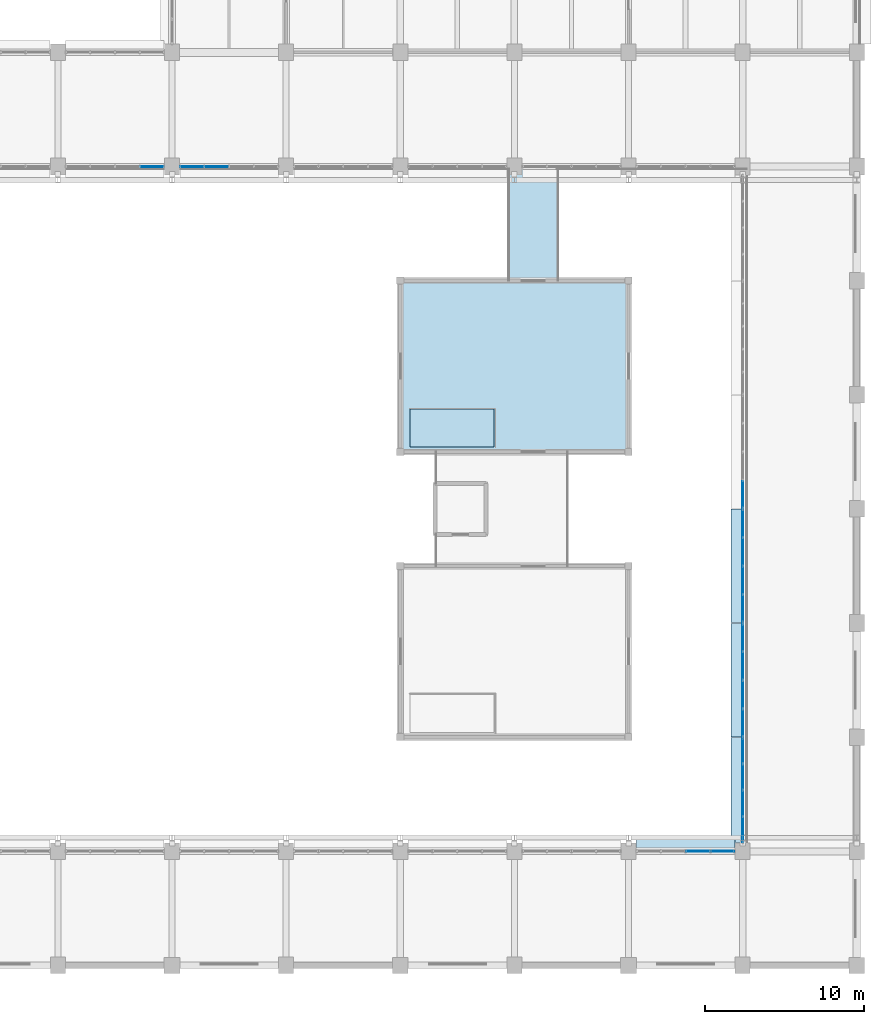
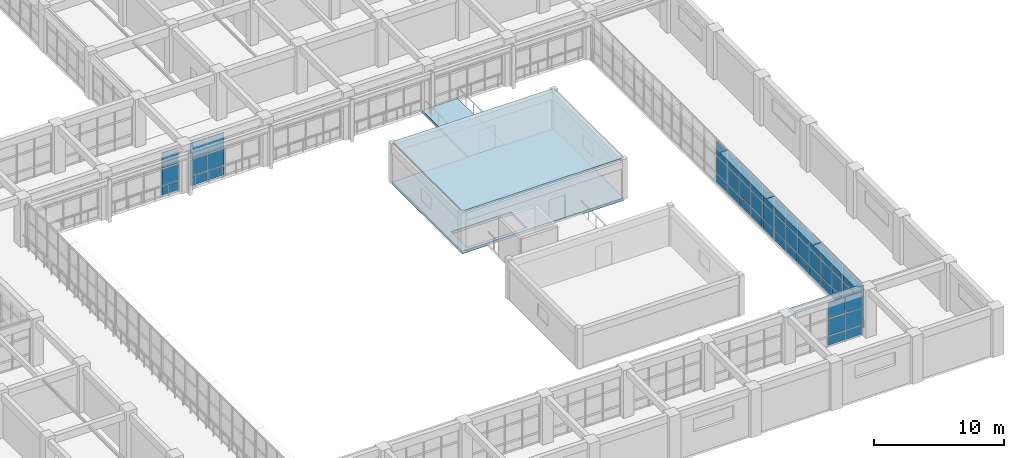
# One storey, part 141 of 171: 58 plates, 3 slabs, 7 elements without a shape of their own.
"""IFC4 building model written with IfcOpenShell, lengths in metres."""

import ifcopenshell
import ifcopenshell.guid

model = None  # the IFC model being written
_history = None  # IfcOwnerHistory: only IFC2X3 demands one
_inside = {}  # id of a spatial element -> (the spatial element, [elements in it])
_under = {}  # id of a project, library or spatial element -> (it, [spatial elements below it])
_declared = {}  # id of a project -> (the project, [libraries it declares])
_typed = {}  # id of a type object -> (the type object, [elements of that type])
_made_of = {}  # id of a material, layer set ... -> (it, [elements and type objects made of it])


def new_model(schema):
    """Start an empty IFC model of exactly this schema.

    Asked for "IFC4X3", IfcOpenShell would pick the latest addendum, in which some entities
    have other attributes; the version numbers below select the first issue.
    IFC2X3 requires an IfcOwnerHistory on every rooted entity: one is made here for all.
    """
    global model, _history
    if schema == "IFC4X3":
        model = ifcopenshell.file(schema_version=(4, 3, 0, 0))
    else:
        model = ifcopenshell.file(schema=schema)
    _inside.clear()
    _under.clear()
    _declared.clear()
    _typed.clear()
    _made_of.clear()
    _history = None
    if model.schema == "IFC2X3":
        org = make("IfcOrganization", Name="unknown")
        user = make(
            "IfcPersonAndOrganization",
            ThePerson=make("IfcPerson", FamilyName="unknown"),
            TheOrganization=org,
        )
        app = make(
            "IfcApplication",
            ApplicationDeveloper=org,
            Version="unknown",
            ApplicationFullName="unknown",
            ApplicationIdentifier="unknown",
        )
        _history = make(
            "IfcOwnerHistory",
            OwningUser=user,
            OwningApplication=app,
            ChangeAction="ADDED",
            CreationDate=0,
        )
    return model


def make(cls, **values):
    """One entity of the class cls with the attributes given. An attribute that is None is left unset."""
    return model.create_entity(
        cls, **{name: value for name, value in values.items() if value is not None}
    )


def rooted(cls, **values):
    """An entity with a GlobalId (a new one), such as an element, a storey or a relation."""
    return make(cls, GlobalId=ifcopenshell.guid.new(), OwnerHistory=_history, **values)


def si_unit(unit_type, name, prefix=None):
    """IfcSIUnit, for example si_unit("LENGTHUNIT", "METRE", prefix="MILLI")."""
    return make("IfcSIUnit", UnitType=unit_type, Prefix=prefix, Name=name)


def assignment(units):
    """IfcUnitAssignment: the units of a project."""
    return None if units is None else make("IfcUnitAssignment", Units=units)


def point(xyz):
    """IfcCartesianPoint."""
    return None if xyz is None else make("IfcCartesianPoint", Coordinates=xyz)


def direction(xyz):
    """IfcDirection."""
    return None if xyz is None else make("IfcDirection", DirectionRatios=xyz)


def frame(location, z_axis=None, x_axis=None):
    """IfcAxis2Placement3D, a coordinate frame: its origin and axes. An axis left out is left unset."""
    return make(
        "IfcAxis2Placement3D",
        Location=point(location),
        Axis=direction(z_axis),
        RefDirection=direction(x_axis),
    )


def frame_2d(location, x_axis=None):
    """IfcAxis2Placement2D, a coordinate frame in the plane: its origin and x axis."""
    return make(
        "IfcAxis2Placement2D", Location=point(location), RefDirection=direction(x_axis)
    )


def origin():
    """The frame at (0, 0, 0) with its axes left unset."""
    return frame((0.0, 0.0, 0.0))


def origin_2d():
    """The frame at (0, 0) in the plane with its x axis left unset."""
    return frame_2d((0.0, 0.0))


def place(relative_to, where):
    """IfcLocalPlacement: puts the frame where relative to a parent placement (None: the world)."""
    return make(
        "IfcLocalPlacement", PlacementRelTo=relative_to, RelativePlacement=where
    )


def context(
    kind, dimensions, precision=None, world=None, true_north=None, identifier=None
):
    """IfcGeometricRepresentationContext, for example the 3D "Model" context."""
    return make(
        "IfcGeometricRepresentationContext",
        ContextIdentifier=identifier,
        ContextType=kind,
        CoordinateSpaceDimension=dimensions,
        Precision=precision,
        WorldCoordinateSystem=world,
        TrueNorth=true_north,
    )


def subcontext(parent, identifier, kind, view, scale=None):
    """IfcGeometricRepresentationSubContext, for example "Body" below "Model"."""
    return make(
        "IfcGeometricRepresentationSubContext",
        ContextIdentifier=identifier,
        ContextType=kind,
        ParentContext=parent,
        TargetScale=scale,
        TargetView=view,
    )


def project(units=None, contexts=None):
    """IfcProject with its units and contexts."""
    return rooted(
        "IfcProject",
        Name="project",
        RepresentationContexts=contexts,
        UnitsInContext=assignment(units),
    )


def spatial(cls, under=None, at=None, **own):
    """A site, building, storey or space (cls), placed at a placement, below another one or the project."""
    s = rooted(cls, ObjectPlacement=at, **own)
    if under is not None:
        _under.setdefault(under.id(), (under, []))[1].append(s)
    return s


def polyline(points):
    """IfcPolyline through the points."""
    return make("IfcPolyline", Points=[point(p) for p in points])


def profile(cls, at=None, kind="AREA", **sizes):
    """A parametric profile (cls). Its sizes go by their IFC names, for example OverallWidth=200.0."""
    return make(cls, ProfileType=kind, Position=at, **sizes)


def rectangle(**sizes):
    """IfcRectangleProfileDef."""
    return profile("IfcRectangleProfileDef", **sizes)


def outline(outer, holes=None, kind="AREA"):
    """IfcArbitraryClosedProfileDef: a profile drawn as a closed curve; with holes, ...WithVoids."""
    if holes is None:
        return make("IfcArbitraryClosedProfileDef", ProfileType=kind, OuterCurve=outer)
    return make(
        "IfcArbitraryProfileDefWithVoids",
        ProfileType=kind,
        OuterCurve=outer,
        InnerCurves=holes,
    )


def extrude(swept, where, along, depth):
    """IfcExtrudedAreaSolid: the profile swept, set in the frame where, extruded along a direction by depth."""
    return make(
        "IfcExtrudedAreaSolid",
        SweptArea=swept,
        Position=where,
        ExtrudedDirection=direction(along),
        Depth=depth,
    )


def shape(context_of_items, identifier, shape_type, items):
    """IfcShapeRepresentation: the items that make up one representation, for example the "Body"."""
    return make(
        "IfcShapeRepresentation",
        ContextOfItems=context_of_items,
        RepresentationIdentifier=identifier,
        RepresentationType=shape_type,
        Items=items,
    )


def material(Name=None, Category=None):
    """IfcMaterial."""
    return make("IfcMaterial", Name=Name, Category=Category)


def layer(
    of_material, thickness, ventilated=None, Name=None, Category=None, Priority=None
):
    """IfcMaterialLayer: one layer of a wall or slab, of a material (None: an air gap)."""
    return make(
        "IfcMaterialLayer",
        Material=of_material,
        LayerThickness=thickness,
        IsVentilated=ventilated,
        Name=Name,
        Category=Category,
        Priority=Priority,
    )


def layer_set(layers, Name=None):
    """IfcMaterialLayerSet."""
    return make("IfcMaterialLayerSet", MaterialLayers=layers, LayerSetName=Name)


def made_of(thing, what):
    """Note that an element or type object is made of a material, layer set ...; save() writes the relation."""
    if what is not None:
        _made_of.setdefault(what.id(), (what, []))[1].append(thing)
    return thing


def type_object(cls, material=None, **own):
    """A type object (cls), such as IfcWallType, which elements share."""
    return made_of(rooted(cls, **own), material)


def element(
    cls,
    number,
    at=None,
    inside=None,
    cuts=None,
    type_object=None,
    material=None,
    context=None,
    identifier="Body",
    shape_type=None,
    held_by="IfcProductDefinitionShape",
    body=None,
    shapes=None,
    **own,
):
    """One element of the class cls, such as IfcWall. Its Tag is "e" and its number.

    at: its placement. inside: the storey or other place that contains it. cuts: it is an
    opening in that element (IfcRelVoidsElement). A single representation is given by context,
    identifier, shape_type and body (its items); several are given by shapes. held_by: the class
    of the entity that holds the representations. save() writes the other relations.
    """
    e = rooted(cls, Tag="e%d" % number, ObjectPlacement=at, **own)
    if body is not None:
        shapes = [shape(context, identifier, shape_type, body)]
    if shapes is not None:
        e.Representation = make(held_by, Representations=shapes)
    if inside is not None:
        _inside.setdefault(inside.id(), (inside, []))[1].append(e)
    if cuts is not None:
        rooted(
            "IfcRelVoidsElement", RelatingBuildingElement=cuts, RelatedOpeningElement=e
        )
    if type_object is not None:
        _typed.setdefault(type_object.id(), (type_object, []))[1].append(e)
    return made_of(e, material)


def aggregate(whole, parts):
    """IfcRelAggregates: a whole, such as a stair, and the parts it consists of."""
    return rooted("IfcRelAggregates", RelatingObject=whole, RelatedObjects=parts)


def save(model, path):
    """Write the relations noted so far, then the file.

    IfcRelAggregates (storeys below a building ...), IfcRelContainedInSpatialStructure (elements
    in a storey), IfcRelDefinesByType, IfcRelAssociatesMaterial and IfcRelDeclares: one each for
    every whole, place, type object, material and project.
    """
    for whole, parts in _under.values():
        aggregate(whole, parts)
    for where, things in _inside.values():
        rooted(
            "IfcRelContainedInSpatialStructure",
            RelatedElements=things,
            RelatingStructure=where,
        )
    for kind, things in _typed.values():
        rooted("IfcRelDefinesByType", RelatedObjects=things, RelatingType=kind)
    for what, things in _made_of.values():
        rooted("IfcRelAssociatesMaterial", RelatedObjects=things, RelatingMaterial=what)
    for by, libraries in _declared.values():
        rooted("IfcRelDeclares", RelatingContext=by, RelatedDefinitions=libraries)
    model.write(path)


model = new_model("IFC4")

# Units and contexts
model_context = context("Model", 3, precision=1e-05, world=origin(), true_north=direction((0.0, 1.0)))
body_context = subcontext(model_context, "Body", "Model", "MODEL_VIEW")
ifc_project = project(units=[si_unit("LENGTHUNIT", "METRE"), si_unit("AREAUNIT", "SQUARE_METRE"), si_unit("VOLUMEUNIT", "CUBIC_METRE"), si_unit("PLANEANGLEUNIT", "RADIAN"), si_unit("MASSUNIT", "GRAM", prefix="KILO")], contexts=[model_context])

# Site, building, storey
site_placement = place(None, origin())
site = spatial("IfcSite", under=ifc_project, at=site_placement, CompositionType="ELEMENT")
building_placement = place(site_placement, origin())
building = spatial("IfcBuilding", under=site, at=building_placement, Name="Thalmaran Polytechnic", CompositionType="ELEMENT")
storey_placement = place(building_placement, frame((0.0, 0.0, 5.39990234375)))
storey = spatial("IfcBuildingStorey", under=building, at=storey_placement, Name="L01", CompositionType="ELEMENT", Elevation=5.39990234375)

# Plates
ifc_material_1 = material(Name="Anodised aluminium sun-hood eyebrow", Category="aluminium")
ifc_layer_1 = layer(ifc_material_1, 0.0849609375, Name="Anodised aluminium sun-hood eyebrow")
ifc_layer_set_1 = layer_set([ifc_layer_1], Name="Anodised aluminium sun-hood eyebrow")
plate_type_1 = type_object("IfcPlateType", Name="PT-EB01", PredefinedType="SHEET", material=ifc_layer_set_1)
plate_1_placement = place(storey_placement, frame((162.0, 7.56005859375, 4.107666015625), z_axis=(0.0, 0.0, 1.0), x_axis=(1.0, 0.0, 0.0)))
element("IfcPlate", 1, at=plate_1_placement, inside=storey, type_object=plate_type_1, Name="Streamline Sun-Hood Eyebrow L01-CW117", PredefinedType="SHEET", context=body_context, shape_type="SweptSolid", body=[
    extrude(rectangle(XDim=6.2099609375, YDim=0.760009765625, at=origin_2d()), origin(), (0.0, 0.0, 1.0), 0.0849609375),
])
plate_2_placement = place(storey_placement, frame((165.239990234375, 11.0625, 4.107666015625), z_axis=(0.0, 0.0, 1.0), x_axis=(0.0, 1.0, 0.0)))
element("IfcPlate", 2, at=plate_2_placement, inside=storey, type_object=plate_type_1, Name="Streamline Sun-Hood Eyebrow L01-CW118", PredefinedType="SHEET", context=body_context, shape_type="SweptSolid", body=[
    extrude(rectangle(XDim=6.635009765625, YDim=0.760009765625, at=origin_2d()), origin(), (0.0, 0.0, 1.0), 0.0849609375),
])
for number, where, z_axis, x_axis, name in (
    (3, (165.239990234375, 18.0, 4.107666015625), (0.0, 0.0, 1.0), (0.0, 1.0, 0.0), "Streamline Sun-Hood Eyebrow L01-CW119"),
    (4, (165.239990234375, 25.199951171875, 4.107666015625), (0.0, 0.0, 1.0), (0.0, 1.0, 0.0), "Streamline Sun-Hood Eyebrow L01-CW120"),
):
    element("IfcPlate", number, at=place(storey_placement, frame(where, z_axis=z_axis, x_axis=x_axis)), inside=storey, type_object=plate_type_1, Name=name, PredefinedType="SHEET", context=body_context, shape_type="SweptSolid", body=[
        extrude(rectangle(XDim=7.159912109375, YDim=0.760009765625, at=origin_2d()), origin(), (0.0, 0.0, 1.0), 0.0849609375),
    ])

# Curtain wall, plates
ifc_material_2 = material(Name="Aluminium 6063-T6", Category="aluminium")
curtain_wall_type = type_object("IfcCurtainWallType", Name="CW-UC02", PredefinedType="USERDEFINED", material=ifc_material_2)
curtain_wall_1_placement = place(storey_placement, origin())
curtain_wall_1 = element("IfcCurtainWall", 5, at=curtain_wall_1_placement, inside=storey, type_object=curtain_wall_type, Name="Curtain Wall CW-L01-120", ObjectType="UNITISED CURTAIN WALL", PredefinedType="USERDEFINED")
ifc_material_3 = material(Name="Solar-control double low-E glass", Category="glass")
ifc_layer_2 = layer(ifc_material_3, 0.035888671875, Name="Solar-control double low-E glass")
ifc_layer_set_2 = layer_set([ifc_layer_2], Name="Solar-control double low-E glass")
plate_type_2 = type_object("IfcPlateType", Name="PT-GL01", PredefinedType="CURTAIN_PANEL", material=ifc_layer_set_2)
plate_3_placement = place(storey_placement, frame((165.60009765625, 22.5, 1.000244140625), z_axis=(0.0, 0.0, 1.0), x_axis=(0.0, 1.0, 0.0)))
plate_3 = element("IfcPlate", 6, at=plate_3_placement, type_object=plate_type_2, Name="CW-L01-120 Vision Panel 1-2", PredefinedType="CURTAIN_PANEL", context=body_context, shape_type="SweptSolid", body=[
    extrude(rectangle(XDim=1.699951171875, YDim=0.035888671875, at=origin_2d()), origin(), (0.0, 0.0, 1.0), 1.544921875),
])
plate_4_placement = place(storey_placement, frame((165.60009765625, 22.5, 2.625), z_axis=(0.0, 0.0, 1.0), x_axis=(0.0, 1.0, 0.0)))
plate_4 = element("IfcPlate", 7, at=plate_4_placement, type_object=plate_type_2, Name="CW-L01-120 Vision Panel 1-3", PredefinedType="CURTAIN_PANEL", context=body_context, shape_type="SweptSolid", body=[
    extrude(rectangle(XDim=1.699951171875, YDim=0.035888671875, at=origin_2d()), origin(), (0.0, 0.0, 1.0), 1.485107421875),
])
plate_5_placement = place(storey_placement, frame((165.60009765625, 24.300048828125, 1.000244140625), z_axis=(0.0, 0.0, 1.0), x_axis=(0.0, 1.0, 0.0)))
plate_5 = element("IfcPlate", 8, at=plate_5_placement, type_object=plate_type_2, Name="CW-L01-120 Vision Panel 2-2", PredefinedType="CURTAIN_PANEL", context=body_context, shape_type="SweptSolid", body=[
    extrude(rectangle(XDim=1.699951171875, YDim=0.035888671875, at=origin_2d()), origin(), (0.0, 0.0, 1.0), 1.544921875),
])
plate_6_placement = place(storey_placement, frame((165.60009765625, 24.300048828125, 2.625), z_axis=(0.0, 0.0, 1.0), x_axis=(0.0, 1.0, 0.0)))
plate_6 = element("IfcPlate", 9, at=plate_6_placement, type_object=plate_type_2, Name="CW-L01-120 Vision Panel 2-3", PredefinedType="CURTAIN_PANEL", context=body_context, shape_type="SweptSolid", body=[
    extrude(rectangle(XDim=1.699951171875, YDim=0.035888671875, at=origin_2d()), origin(), (0.0, 0.0, 1.0), 1.485107421875),
])
plate_7_placement = place(storey_placement, frame((165.60009765625, 26.10009765625, 1.000244140625), z_axis=(0.0, 0.0, 1.0), x_axis=(0.0, 1.0, 0.0)))
plate_7 = element("IfcPlate", 10, at=plate_7_placement, type_object=plate_type_2, Name="CW-L01-120 Vision Panel 3-2", PredefinedType="CURTAIN_PANEL", context=body_context, shape_type="SweptSolid", body=[
    extrude(rectangle(XDim=1.699951171875, YDim=0.035888671875, at=origin_2d()), origin(), (0.0, 0.0, 1.0), 1.544921875),
])
plate_8_placement = place(storey_placement, frame((165.60009765625, 26.10009765625, 2.625), z_axis=(0.0, 0.0, 1.0), x_axis=(0.0, 1.0, 0.0)))
plate_8 = element("IfcPlate", 11, at=plate_8_placement, type_object=plate_type_2, Name="CW-L01-120 Vision Panel 3-3", PredefinedType="CURTAIN_PANEL", context=body_context, shape_type="SweptSolid", body=[
    extrude(rectangle(XDim=1.699951171875, YDim=0.035888671875, at=origin_2d()), origin(), (0.0, 0.0, 1.0), 1.485107421875),
])
plate_9_placement = place(storey_placement, frame((165.60009765625, 27.89990234375, 1.000244140625), z_axis=(0.0, 0.0, 1.0), x_axis=(0.0, 1.0, 0.0)))
plate_9 = element("IfcPlate", 12, at=plate_9_placement, type_object=plate_type_2, Name="CW-L01-120 Vision Panel 4-2", PredefinedType="CURTAIN_PANEL", context=body_context, shape_type="SweptSolid", body=[
    extrude(rectangle(XDim=1.699951171875, YDim=0.035888671875, at=origin_2d()), origin(), (0.0, 0.0, 1.0), 1.544921875),
])
plate_10_placement = place(storey_placement, frame((165.60009765625, 27.89990234375, 2.625), z_axis=(0.0, 0.0, 1.0), x_axis=(0.0, 1.0, 0.0)))
plate_10 = element("IfcPlate", 13, at=plate_10_placement, type_object=plate_type_2, Name="CW-L01-120 Vision Panel 4-3", PredefinedType="CURTAIN_PANEL", context=body_context, shape_type="SweptSolid", body=[
    extrude(rectangle(XDim=1.699951171875, YDim=0.035888671875, at=origin_2d()), origin(), (0.0, 0.0, 1.0), 1.485107421875),
])

curtain_wall_2_placement = place(storey_placement, origin())
curtain_wall_2 = element("IfcCurtainWall", 14, at=curtain_wall_2_placement, inside=storey, type_object=curtain_wall_type, Name="Curtain Wall CW-L01-121", ObjectType="UNITISED CURTAIN WALL", PredefinedType="USERDEFINED")
ifc_layer_3 = layer(ifc_material_3, 0.035888671875, Name="Solar-control double low-E glass")
ifc_layer_set_3 = layer_set([ifc_layer_3], Name="Solar-control double low-E glass")
plate_type_3 = type_object("IfcPlateType", Name="PT-GL02", PredefinedType="CURTAIN_PANEL", material=ifc_layer_set_3)
plate_11_placement = place(storey_placement, frame((165.60009765625, 29.699951171875, 1.000244140625), z_axis=(0.0, 0.0, 1.0), x_axis=(0.0, 1.0, 0.0)))
plate_11 = element("IfcPlate", 15, at=plate_11_placement, type_object=plate_type_3, Name="CW-L01-121 Vision Panel 1-2", PredefinedType="CURTAIN_PANEL", context=body_context, shape_type="SweptSolid", body=[
    extrude(rectangle(XDim=1.699951171875, YDim=0.035888671875, at=origin_2d()), origin(), (0.0, 0.0, 1.0), 1.544921875),
])
plate_12_placement = place(storey_placement, frame((165.60009765625, 29.699951171875, 2.625), z_axis=(0.0, 0.0, 1.0), x_axis=(0.0, 1.0, 0.0)))
plate_12 = element("IfcPlate", 16, at=plate_12_placement, type_object=plate_type_3, Name="CW-L01-121 Vision Panel 1-3", PredefinedType="CURTAIN_PANEL", context=body_context, shape_type="SweptSolid", body=[
    extrude(rectangle(XDim=1.699951171875, YDim=0.035888671875, at=origin_2d()), origin(), (0.0, 0.0, 1.0), 1.485107421875),
])

curtain_wall_3_placement = place(storey_placement, origin())
curtain_wall_3 = element("IfcCurtainWall", 17, at=curtain_wall_3_placement, inside=storey, type_object=curtain_wall_type, Name="Curtain Wall CW-L01-117", ObjectType="UNITISED CURTAIN WALL", PredefinedType="USERDEFINED")
ifc_layer_4 = layer(ifc_material_3, 0.035888671875, Name="Solar-control double low-E glass")
ifc_layer_set_4 = layer_set([ifc_layer_4], Name="Solar-control double low-E glass")
plate_type_4 = type_object("IfcPlateType", Name="PT-GL03", PredefinedType="CURTAIN_PANEL", material=ifc_layer_set_4)
plate_13_placement = place(storey_placement, frame((162.78125, 7.199951171875, 1.000244140625), z_axis=(0.0, 0.0, 1.0), x_axis=(1.0, 0.0, 0.0)))
plate_13 = element("IfcPlate", 18, at=plate_13_placement, type_object=plate_type_4, Name="CW-L01-117 Vision Panel 3-2", PredefinedType="CURTAIN_PANEL", context=body_context, shape_type="SweptSolid", body=[
    extrude(rectangle(XDim=1.46240234375, YDim=0.035888671875, at=origin_2d()), origin(), (0.0, 0.0, 1.0), 1.544921875),
])
plate_14_placement = place(storey_placement, frame((162.78125, 7.199951171875, 2.625), z_axis=(0.0, 0.0, 1.0), x_axis=(1.0, 0.0, 0.0)))
plate_14 = element("IfcPlate", 19, at=plate_14_placement, type_object=plate_type_4, Name="CW-L01-117 Vision Panel 3-3", PredefinedType="CURTAIN_PANEL", context=body_context, shape_type="SweptSolid", body=[
    extrude(rectangle(XDim=1.46240234375, YDim=0.035888671875, at=origin_2d()), origin(), (0.0, 0.0, 1.0), 1.485107421875),
])
plate_15_placement = place(storey_placement, frame((164.34375, 7.199951171875, 1.000244140625), z_axis=(0.0, 0.0, 1.0), x_axis=(1.0, 0.0, 0.0)))
plate_15 = element("IfcPlate", 20, at=plate_15_placement, type_object=plate_type_4, Name="CW-L01-117 Vision Panel 4-2", PredefinedType="CURTAIN_PANEL", context=body_context, shape_type="SweptSolid", body=[
    extrude(rectangle(XDim=1.46240234375, YDim=0.035888671875, at=origin_2d()), origin(), (0.0, 0.0, 1.0), 1.544921875),
])
plate_16_placement = place(storey_placement, frame((164.34375, 7.199951171875, 2.625), z_axis=(0.0, 0.0, 1.0), x_axis=(1.0, 0.0, 0.0)))
plate_16 = element("IfcPlate", 21, at=plate_16_placement, type_object=plate_type_4, Name="CW-L01-117 Vision Panel 4-3", PredefinedType="CURTAIN_PANEL", context=body_context, shape_type="SweptSolid", body=[
    extrude(rectangle(XDim=1.46240234375, YDim=0.035888671875, at=origin_2d()), origin(), (0.0, 0.0, 1.0), 1.485107421875),
])

curtain_wall_4_placement = place(storey_placement, origin())
curtain_wall_4 = element("IfcCurtainWall", 22, at=curtain_wall_4_placement, inside=storey, type_object=curtain_wall_type, Name="Curtain Wall CW-L01-103", ObjectType="UNITISED CURTAIN WALL", PredefinedType="USERDEFINED")
ifc_layer_5 = layer(ifc_material_3, 0.035888671875, Name="Solar-control double low-E glass")
ifc_layer_set_5 = layer_set([ifc_layer_5], Name="Solar-control double low-E glass")
plate_type_5 = type_object("IfcPlateType", Name="PT-GL04", PredefinedType="CURTAIN_PANEL", material=ifc_layer_set_5)
plate_17_placement = place(storey_placement, frame((128.34375, 50.39990234375, 1.000244140625), z_axis=(0.0, 0.0, 1.0), x_axis=(-1.0, 0.0, 0.0)))
plate_17 = element("IfcPlate", 23, at=plate_17_placement, type_object=plate_type_5, Name="CW-L01-103 Vision Panel 1-2", PredefinedType="CURTAIN_PANEL", context=body_context, shape_type="SweptSolid", body=[
    extrude(rectangle(XDim=1.46240234375, YDim=0.035888671875, at=origin_2d()), origin(), (0.0, 0.0, 1.0), 1.544921875),
])
plate_18_placement = place(storey_placement, frame((128.34375, 50.39990234375, 2.625), z_axis=(0.0, 0.0, 1.0), x_axis=(-1.0, 0.0, 0.0)))
plate_18 = element("IfcPlate", 24, at=plate_18_placement, type_object=plate_type_5, Name="CW-L01-103 Vision Panel 1-3", PredefinedType="CURTAIN_PANEL", context=body_context, shape_type="SweptSolid", body=[
    extrude(rectangle(XDim=1.46240234375, YDim=0.035888671875, at=origin_2d()), origin(), (0.0, 0.0, 1.0), 1.485107421875),
])

curtain_wall_5_placement = place(storey_placement, origin())
curtain_wall_5 = element("IfcCurtainWall", 25, at=curtain_wall_5_placement, inside=storey, type_object=curtain_wall_type, Name="Curtain Wall CW-L01-118", ObjectType="UNITISED CURTAIN WALL", PredefinedType="USERDEFINED")
plate_19_placement = place(storey_placement, frame((165.60009765625, 8.559326171875, 1.000244140625), z_axis=(0.0, 0.0, 1.0), x_axis=(0.0, 1.0, 0.0)))
plate_19 = element("IfcPlate", 26, at=plate_19_placement, type_object=plate_type_5, Name="CW-L01-118 Vision Panel 1-2", PredefinedType="CURTAIN_PANEL", context=body_context, shape_type="SweptSolid", body=[
    extrude(rectangle(XDim=1.56884765625, YDim=0.035888671875, at=origin_2d()), origin(), (0.0, 0.0, 1.0), 1.544921875),
])
plate_20_placement = place(storey_placement, frame((165.60009765625, 8.559326171875, 2.625), z_axis=(0.0, 0.0, 1.0), x_axis=(0.0, 1.0, 0.0)))
plate_20 = element("IfcPlate", 27, at=plate_20_placement, type_object=plate_type_5, Name="CW-L01-118 Vision Panel 1-3", PredefinedType="CURTAIN_PANEL", context=body_context, shape_type="SweptSolid", body=[
    extrude(rectangle(XDim=1.56884765625, YDim=0.035888671875, at=origin_2d()), origin(), (0.0, 0.0, 1.0), 1.485107421875),
])
plate_21_placement = place(storey_placement, frame((165.60009765625, 10.22802734375, 1.000244140625), z_axis=(0.0, 0.0, 1.0), x_axis=(0.0, 1.0, 0.0)))
plate_21 = element("IfcPlate", 28, at=plate_21_placement, type_object=plate_type_5, Name="CW-L01-118 Vision Panel 2-2", PredefinedType="CURTAIN_PANEL", context=body_context, shape_type="SweptSolid", body=[
    extrude(rectangle(XDim=1.56884765625, YDim=0.035888671875, at=origin_2d()), origin(), (0.0, 0.0, 1.0), 1.544921875),
])
plate_22_placement = place(storey_placement, frame((165.60009765625, 10.22802734375, 2.625), z_axis=(0.0, 0.0, 1.0), x_axis=(0.0, 1.0, 0.0)))
plate_22 = element("IfcPlate", 29, at=plate_22_placement, type_object=plate_type_5, Name="CW-L01-118 Vision Panel 2-3", PredefinedType="CURTAIN_PANEL", context=body_context, shape_type="SweptSolid", body=[
    extrude(rectangle(XDim=1.56884765625, YDim=0.035888671875, at=origin_2d()), origin(), (0.0, 0.0, 1.0), 1.485107421875),
])
plate_23_placement = place(storey_placement, frame((165.60009765625, 11.89697265625, 1.000244140625), z_axis=(0.0, 0.0, 1.0), x_axis=(0.0, 1.0, 0.0)))
plate_23 = element("IfcPlate", 30, at=plate_23_placement, type_object=plate_type_5, Name="CW-L01-118 Vision Panel 3-2", PredefinedType="CURTAIN_PANEL", context=body_context, shape_type="SweptSolid", body=[
    extrude(rectangle(XDim=1.56884765625, YDim=0.035888671875, at=origin_2d()), origin(), (0.0, 0.0, 1.0), 1.544921875),
])
plate_24_placement = place(storey_placement, frame((165.60009765625, 11.89697265625, 2.625), z_axis=(0.0, 0.0, 1.0), x_axis=(0.0, 1.0, 0.0)))
plate_24 = element("IfcPlate", 31, at=plate_24_placement, type_object=plate_type_5, Name="CW-L01-118 Vision Panel 3-3", PredefinedType="CURTAIN_PANEL", context=body_context, shape_type="SweptSolid", body=[
    extrude(rectangle(XDim=1.56884765625, YDim=0.035888671875, at=origin_2d()), origin(), (0.0, 0.0, 1.0), 1.485107421875),
])
plate_25_placement = place(storey_placement, frame((165.60009765625, 13.565673828125, 1.000244140625), z_axis=(0.0, 0.0, 1.0), x_axis=(0.0, 1.0, 0.0)))
plate_25 = element("IfcPlate", 32, at=plate_25_placement, type_object=plate_type_5, Name="CW-L01-118 Vision Panel 4-2", PredefinedType="CURTAIN_PANEL", context=body_context, shape_type="SweptSolid", body=[
    extrude(rectangle(XDim=1.56884765625, YDim=0.035888671875, at=origin_2d()), origin(), (0.0, 0.0, 1.0), 1.544921875),
])
plate_26_placement = place(storey_placement, frame((165.60009765625, 13.565673828125, 2.625), z_axis=(0.0, 0.0, 1.0), x_axis=(0.0, 1.0, 0.0)))
plate_26 = element("IfcPlate", 33, at=plate_26_placement, type_object=plate_type_5, Name="CW-L01-118 Vision Panel 4-3", PredefinedType="CURTAIN_PANEL", context=body_context, shape_type="SweptSolid", body=[
    extrude(rectangle(XDim=1.56884765625, YDim=0.035888671875, at=origin_2d()), origin(), (0.0, 0.0, 1.0), 1.485107421875),
])

curtain_wall_6_placement = place(storey_placement, origin())
curtain_wall_6 = element("IfcCurtainWall", 34, at=curtain_wall_6_placement, inside=storey, type_object=curtain_wall_type, Name="Curtain Wall CW-L01-128", ObjectType="UNITISED CURTAIN WALL", PredefinedType="USERDEFINED")
plate_27_placement = place(storey_placement, frame((132.418701171875, 50.39990234375, 1.000244140625), z_axis=(0.0, 0.0, 1.0), x_axis=(-1.0, 0.0, 0.0)))
plate_27 = element("IfcPlate", 35, at=plate_27_placement, type_object=plate_type_5, Name="CW-L01-128 Vision Panel 3-2", PredefinedType="CURTAIN_PANEL", context=body_context, shape_type="SweptSolid", body=[
    extrude(rectangle(XDim=1.46240234375, YDim=0.035888671875, at=origin_2d()), origin(), (0.0, 0.0, 1.0), 1.544921875),
])
plate_28_placement = place(storey_placement, frame((132.418701171875, 50.39990234375, 2.625), z_axis=(0.0, 0.0, 1.0), x_axis=(-1.0, 0.0, 0.0)))
plate_28 = element("IfcPlate", 36, at=plate_28_placement, type_object=plate_type_5, Name="CW-L01-128 Vision Panel 3-3", PredefinedType="CURTAIN_PANEL", context=body_context, shape_type="SweptSolid", body=[
    extrude(rectangle(XDim=1.46240234375, YDim=0.035888671875, at=origin_2d()), origin(), (0.0, 0.0, 1.0), 1.485107421875),
])
plate_29_placement = place(storey_placement, frame((130.856201171875, 50.39990234375, 1.000244140625), z_axis=(0.0, 0.0, 1.0), x_axis=(-1.0, 0.0, 0.0)))
plate_29 = element("IfcPlate", 37, at=plate_29_placement, type_object=plate_type_5, Name="CW-L01-128 Vision Panel 4-2", PredefinedType="CURTAIN_PANEL", context=body_context, shape_type="SweptSolid", body=[
    extrude(rectangle(XDim=1.46240234375, YDim=0.035888671875, at=origin_2d()), origin(), (0.0, 0.0, 1.0), 1.544921875),
])
plate_30_placement = place(storey_placement, frame((130.856201171875, 50.39990234375, 2.625), z_axis=(0.0, 0.0, 1.0), x_axis=(-1.0, 0.0, 0.0)))
plate_30 = element("IfcPlate", 38, at=plate_30_placement, type_object=plate_type_5, Name="CW-L01-128 Vision Panel 4-3", PredefinedType="CURTAIN_PANEL", context=body_context, shape_type="SweptSolid", body=[
    extrude(rectangle(XDim=1.46240234375, YDim=0.035888671875, at=origin_2d()), origin(), (0.0, 0.0, 1.0), 1.485107421875),
])

curtain_wall_7_placement = place(storey_placement, origin())
curtain_wall_7 = element("IfcCurtainWall", 39, at=curtain_wall_7_placement, inside=storey, type_object=curtain_wall_type, Name="Curtain Wall CW-L01-119", ObjectType="UNITISED CURTAIN WALL", PredefinedType="USERDEFINED")
ifc_layer_6 = layer(ifc_material_3, 0.035888671875, Name="Solar-control double low-E glass")
ifc_layer_set_6 = layer_set([ifc_layer_6], Name="Solar-control double low-E glass")
plate_type_6 = type_object("IfcPlateType", Name="PT-GL05", PredefinedType="CURTAIN_PANEL", material=ifc_layer_set_6)
plate_31_placement = place(storey_placement, frame((165.60009765625, 15.300048828125, 1.000244140625), z_axis=(0.0, 0.0, 1.0), x_axis=(0.0, 1.0, 0.0)))
plate_31 = element("IfcPlate", 40, at=plate_31_placement, type_object=plate_type_6, Name="CW-L01-119 Vision Panel 1-2", PredefinedType="CURTAIN_PANEL", context=body_context, shape_type="SweptSolid", body=[
    extrude(rectangle(XDim=1.699951171875, YDim=0.035888671875, at=origin_2d()), origin(), (0.0, 0.0, 1.0), 1.544921875),
])
plate_32_placement = place(storey_placement, frame((165.60009765625, 15.300048828125, 2.625), z_axis=(0.0, 0.0, 1.0), x_axis=(0.0, 1.0, 0.0)))
plate_32 = element("IfcPlate", 41, at=plate_32_placement, type_object=plate_type_6, Name="CW-L01-119 Vision Panel 1-3", PredefinedType="CURTAIN_PANEL", context=body_context, shape_type="SweptSolid", body=[
    extrude(rectangle(XDim=1.699951171875, YDim=0.035888671875, at=origin_2d()), origin(), (0.0, 0.0, 1.0), 1.485107421875),
])
plate_33_placement = place(storey_placement, frame((165.60009765625, 17.10009765625, 1.000244140625), z_axis=(0.0, 0.0, 1.0), x_axis=(0.0, 1.0, 0.0)))
plate_33 = element("IfcPlate", 42, at=plate_33_placement, type_object=plate_type_6, Name="CW-L01-119 Vision Panel 2-2", PredefinedType="CURTAIN_PANEL", context=body_context, shape_type="SweptSolid", body=[
    extrude(rectangle(XDim=1.699951171875, YDim=0.035888671875, at=origin_2d()), origin(), (0.0, 0.0, 1.0), 1.544921875),
])
plate_34_placement = place(storey_placement, frame((165.60009765625, 17.10009765625, 2.625), z_axis=(0.0, 0.0, 1.0), x_axis=(0.0, 1.0, 0.0)))
plate_34 = element("IfcPlate", 43, at=plate_34_placement, type_object=plate_type_6, Name="CW-L01-119 Vision Panel 2-3", PredefinedType="CURTAIN_PANEL", context=body_context, shape_type="SweptSolid", body=[
    extrude(rectangle(XDim=1.699951171875, YDim=0.035888671875, at=origin_2d()), origin(), (0.0, 0.0, 1.0), 1.485107421875),
])
plate_35_placement = place(storey_placement, frame((165.60009765625, 18.89990234375, 1.000244140625), z_axis=(0.0, 0.0, 1.0), x_axis=(0.0, 1.0, 0.0)))
plate_35 = element("IfcPlate", 44, at=plate_35_placement, type_object=plate_type_6, Name="CW-L01-119 Vision Panel 3-2", PredefinedType="CURTAIN_PANEL", context=body_context, shape_type="SweptSolid", body=[
    extrude(rectangle(XDim=1.699951171875, YDim=0.035888671875, at=origin_2d()), origin(), (0.0, 0.0, 1.0), 1.544921875),
])
plate_36_placement = place(storey_placement, frame((165.60009765625, 18.89990234375, 2.625), z_axis=(0.0, 0.0, 1.0), x_axis=(0.0, 1.0, 0.0)))
plate_36 = element("IfcPlate", 45, at=plate_36_placement, type_object=plate_type_6, Name="CW-L01-119 Vision Panel 3-3", PredefinedType="CURTAIN_PANEL", context=body_context, shape_type="SweptSolid", body=[
    extrude(rectangle(XDim=1.699951171875, YDim=0.035888671875, at=origin_2d()), origin(), (0.0, 0.0, 1.0), 1.485107421875),
])
plate_37_placement = place(storey_placement, frame((165.60009765625, 20.699951171875, 1.000244140625), z_axis=(0.0, 0.0, 1.0), x_axis=(0.0, 1.0, 0.0)))
plate_37 = element("IfcPlate", 46, at=plate_37_placement, type_object=plate_type_6, Name="CW-L01-119 Vision Panel 4-2", PredefinedType="CURTAIN_PANEL", context=body_context, shape_type="SweptSolid", body=[
    extrude(rectangle(XDim=1.699951171875, YDim=0.035888671875, at=origin_2d()), origin(), (0.0, 0.0, 1.0), 1.544921875),
])
plate_38_placement = place(storey_placement, frame((165.60009765625, 20.699951171875, 2.625), z_axis=(0.0, 0.0, 1.0), x_axis=(0.0, 1.0, 0.0)))
plate_38 = element("IfcPlate", 47, at=plate_38_placement, type_object=plate_type_6, Name="CW-L01-119 Vision Panel 4-3", PredefinedType="CURTAIN_PANEL", context=body_context, shape_type="SweptSolid", body=[
    extrude(rectangle(XDim=1.699951171875, YDim=0.035888671875, at=origin_2d()), origin(), (0.0, 0.0, 1.0), 1.485107421875),
])

# Plate
ifc_material_4 = material(Name="Insulated anodised aluminium spandrel", Category="aluminium")
ifc_layer_7 = layer(ifc_material_4, 0.06005859375, Name="Insulated anodised aluminium spandrel")
ifc_layer_set_7 = layer_set([ifc_layer_7], Name="Insulated anodised aluminium spandrel")
plate_type_7 = type_object("IfcPlateType", Name="PT-SP01", PredefinedType="CURTAIN_PANEL", material=ifc_layer_set_7)
plate_39_placement = place(storey_placement, frame((162.78125, 7.199951171875, 0.10009765625), z_axis=(0.0, 0.0, 1.0), x_axis=(1.0, 0.0, 0.0)))
plate_39 = element("IfcPlate", 48, at=plate_39_placement, type_object=plate_type_7, Name="CW-L01-117 Spandrel Panel 3-1", PredefinedType="CURTAIN_PANEL", context=body_context, shape_type="SweptSolid", body=[
    extrude(rectangle(XDim=1.46240234375, YDim=0.06005859375, at=origin_2d()), origin(), (0.0, 0.0, 1.0), 0.820068359375),
])

plate_40_placement = place(storey_placement, frame((164.34375, 7.199951171875, 0.10009765625), z_axis=(0.0, 0.0, 1.0), x_axis=(1.0, 0.0, 0.0)))
plate_40 = element("IfcPlate", 49, at=plate_40_placement, type_object=plate_type_7, Name="CW-L01-117 Spandrel Panel 4-1", PredefinedType="CURTAIN_PANEL", context=body_context, shape_type="SweptSolid", body=[
    extrude(rectangle(XDim=1.46240234375, YDim=0.06005859375, at=origin_2d()), origin(), (0.0, 0.0, 1.0), 0.820068359375),
])

aggregate(curtain_wall_3, [plate_39, plate_13, plate_14, plate_40, plate_15, plate_16])

plate_41_placement = place(storey_placement, frame((165.60009765625, 22.5, 0.10009765625), z_axis=(0.0, 0.0, 1.0), x_axis=(0.0, 1.0, 0.0)))
plate_41 = element("IfcPlate", 50, at=plate_41_placement, type_object=plate_type_7, Name="CW-L01-120 Spandrel Panel 1-1", PredefinedType="CURTAIN_PANEL", context=body_context, shape_type="SweptSolid", body=[
    extrude(rectangle(XDim=1.699951171875, YDim=0.06005859375, at=origin_2d()), origin(), (0.0, 0.0, 1.0), 0.820068359375),
])

plate_42_placement = place(storey_placement, frame((165.60009765625, 24.300048828125, 0.10009765625), z_axis=(0.0, 0.0, 1.0), x_axis=(0.0, 1.0, 0.0)))
plate_42 = element("IfcPlate", 51, at=plate_42_placement, type_object=plate_type_7, Name="CW-L01-120 Spandrel Panel 2-1", PredefinedType="CURTAIN_PANEL", context=body_context, shape_type="SweptSolid", body=[
    extrude(rectangle(XDim=1.699951171875, YDim=0.06005859375, at=origin_2d()), origin(), (0.0, 0.0, 1.0), 0.820068359375),
])

plate_43_placement = place(storey_placement, frame((165.60009765625, 26.10009765625, 0.10009765625), z_axis=(0.0, 0.0, 1.0), x_axis=(0.0, 1.0, 0.0)))
plate_43 = element("IfcPlate", 52, at=plate_43_placement, type_object=plate_type_7, Name="CW-L01-120 Spandrel Panel 3-1", PredefinedType="CURTAIN_PANEL", context=body_context, shape_type="SweptSolid", body=[
    extrude(rectangle(XDim=1.699951171875, YDim=0.06005859375, at=origin_2d()), origin(), (0.0, 0.0, 1.0), 0.820068359375),
])

plate_44_placement = place(storey_placement, frame((165.60009765625, 27.89990234375, 0.10009765625), z_axis=(0.0, 0.0, 1.0), x_axis=(0.0, 1.0, 0.0)))
plate_44 = element("IfcPlate", 53, at=plate_44_placement, type_object=plate_type_7, Name="CW-L01-120 Spandrel Panel 4-1", PredefinedType="CURTAIN_PANEL", context=body_context, shape_type="SweptSolid", body=[
    extrude(rectangle(XDim=1.699951171875, YDim=0.06005859375, at=origin_2d()), origin(), (0.0, 0.0, 1.0), 0.820068359375),
])

aggregate(curtain_wall_1, [plate_41, plate_3, plate_4, plate_42, plate_5, plate_6, plate_43, plate_7, plate_8, plate_44, plate_9, plate_10])

ifc_layer_8 = layer(ifc_material_4, 0.06005859375, Name="Insulated anodised aluminium spandrel")
ifc_layer_set_8 = layer_set([ifc_layer_8], Name="Insulated anodised aluminium spandrel")
plate_type_8 = type_object("IfcPlateType", Name="PT-SP02", PredefinedType="CURTAIN_PANEL", material=ifc_layer_set_8)
plate_45_placement = place(storey_placement, frame((128.34375, 50.39990234375, 0.10009765625), z_axis=(0.0, 0.0, 1.0), x_axis=(-1.0, 0.0, 0.0)))
plate_45 = element("IfcPlate", 54, at=plate_45_placement, type_object=plate_type_8, Name="CW-L01-103 Spandrel Panel 1-1", PredefinedType="CURTAIN_PANEL", context=body_context, shape_type="SweptSolid", body=[
    extrude(rectangle(XDim=1.46240234375, YDim=0.06005859375, at=origin_2d()), origin(), (0.0, 0.0, 1.0), 0.820068359375),
])

aggregate(curtain_wall_4, [plate_45, plate_17, plate_18])

plate_46_placement = place(storey_placement, frame((165.60009765625, 8.559326171875, 0.10009765625), z_axis=(0.0, 0.0, 1.0), x_axis=(0.0, 1.0, 0.0)))
plate_46 = element("IfcPlate", 55, at=plate_46_placement, type_object=plate_type_8, Name="CW-L01-118 Spandrel Panel 1-1", PredefinedType="CURTAIN_PANEL", context=body_context, shape_type="SweptSolid", body=[
    extrude(rectangle(XDim=1.56884765625, YDim=0.06005859375, at=origin_2d()), origin(), (0.0, 0.0, 1.0), 0.820068359375),
])

plate_47_placement = place(storey_placement, frame((165.60009765625, 10.22802734375, 0.10009765625), z_axis=(0.0, 0.0, 1.0), x_axis=(0.0, 1.0, 0.0)))
plate_47 = element("IfcPlate", 56, at=plate_47_placement, type_object=plate_type_8, Name="CW-L01-118 Spandrel Panel 2-1", PredefinedType="CURTAIN_PANEL", context=body_context, shape_type="SweptSolid", body=[
    extrude(rectangle(XDim=1.56884765625, YDim=0.06005859375, at=origin_2d()), origin(), (0.0, 0.0, 1.0), 0.820068359375),
])

plate_48_placement = place(storey_placement, frame((165.60009765625, 11.89697265625, 0.10009765625), z_axis=(0.0, 0.0, 1.0), x_axis=(0.0, 1.0, 0.0)))
plate_48 = element("IfcPlate", 57, at=plate_48_placement, type_object=plate_type_8, Name="CW-L01-118 Spandrel Panel 3-1", PredefinedType="CURTAIN_PANEL", context=body_context, shape_type="SweptSolid", body=[
    extrude(rectangle(XDim=1.56884765625, YDim=0.06005859375, at=origin_2d()), origin(), (0.0, 0.0, 1.0), 0.820068359375),
])

plate_49_placement = place(storey_placement, frame((165.60009765625, 13.565673828125, 0.10009765625), z_axis=(0.0, 0.0, 1.0), x_axis=(0.0, 1.0, 0.0)))
plate_49 = element("IfcPlate", 58, at=plate_49_placement, type_object=plate_type_8, Name="CW-L01-118 Spandrel Panel 4-1", PredefinedType="CURTAIN_PANEL", context=body_context, shape_type="SweptSolid", body=[
    extrude(rectangle(XDim=1.56884765625, YDim=0.06005859375, at=origin_2d()), origin(), (0.0, 0.0, 1.0), 0.820068359375),
])

aggregate(curtain_wall_5, [plate_46, plate_19, plate_20, plate_47, plate_21, plate_22, plate_48, plate_23, plate_24, plate_49, plate_25, plate_26])

plate_50_placement = place(storey_placement, frame((165.60009765625, 29.699951171875, 0.10009765625), z_axis=(0.0, 0.0, 1.0), x_axis=(0.0, 1.0, 0.0)))
plate_50 = element("IfcPlate", 59, at=plate_50_placement, type_object=plate_type_8, Name="CW-L01-121 Spandrel Panel 1-1", PredefinedType="CURTAIN_PANEL", context=body_context, shape_type="SweptSolid", body=[
    extrude(rectangle(XDim=1.699951171875, YDim=0.06005859375, at=origin_2d()), origin(), (0.0, 0.0, 1.0), 0.820068359375),
])

aggregate(curtain_wall_2, [plate_50, plate_11, plate_12])

ifc_layer_9 = layer(ifc_material_4, 0.06005859375, Name="Insulated anodised aluminium spandrel")
ifc_layer_set_9 = layer_set([ifc_layer_9], Name="Insulated anodised aluminium spandrel")
plate_type_9 = type_object("IfcPlateType", Name="PT-SP03", PredefinedType="CURTAIN_PANEL", material=ifc_layer_set_9)
plate_51_placement = place(storey_placement, frame((165.60009765625, 15.300048828125, 0.10009765625), z_axis=(0.0, 0.0, 1.0), x_axis=(0.0, 1.0, 0.0)))
plate_51 = element("IfcPlate", 60, at=plate_51_placement, type_object=plate_type_9, Name="CW-L01-119 Spandrel Panel 1-1", PredefinedType="CURTAIN_PANEL", context=body_context, shape_type="SweptSolid", body=[
    extrude(rectangle(XDim=1.699951171875, YDim=0.06005859375, at=origin_2d()), origin(), (0.0, 0.0, 1.0), 0.820068359375),
])

plate_52_placement = place(storey_placement, frame((165.60009765625, 17.10009765625, 0.10009765625), z_axis=(0.0, 0.0, 1.0), x_axis=(0.0, 1.0, 0.0)))
plate_52 = element("IfcPlate", 61, at=plate_52_placement, type_object=plate_type_9, Name="CW-L01-119 Spandrel Panel 2-1", PredefinedType="CURTAIN_PANEL", context=body_context, shape_type="SweptSolid", body=[
    extrude(rectangle(XDim=1.699951171875, YDim=0.06005859375, at=origin_2d()), origin(), (0.0, 0.0, 1.0), 0.820068359375),
])

plate_53_placement = place(storey_placement, frame((165.60009765625, 18.89990234375, 0.10009765625), z_axis=(0.0, 0.0, 1.0), x_axis=(0.0, 1.0, 0.0)))
plate_53 = element("IfcPlate", 62, at=plate_53_placement, type_object=plate_type_9, Name="CW-L01-119 Spandrel Panel 3-1", PredefinedType="CURTAIN_PANEL", context=body_context, shape_type="SweptSolid", body=[
    extrude(rectangle(XDim=1.699951171875, YDim=0.06005859375, at=origin_2d()), origin(), (0.0, 0.0, 1.0), 0.820068359375),
])

plate_54_placement = place(storey_placement, frame((165.60009765625, 20.699951171875, 0.10009765625), z_axis=(0.0, 0.0, 1.0), x_axis=(0.0, 1.0, 0.0)))
plate_54 = element("IfcPlate", 63, at=plate_54_placement, type_object=plate_type_9, Name="CW-L01-119 Spandrel Panel 4-1", PredefinedType="CURTAIN_PANEL", context=body_context, shape_type="SweptSolid", body=[
    extrude(rectangle(XDim=1.699951171875, YDim=0.06005859375, at=origin_2d()), origin(), (0.0, 0.0, 1.0), 0.820068359375),
])

aggregate(curtain_wall_7, [plate_51, plate_31, plate_32, plate_52, plate_33, plate_34, plate_53, plate_35, plate_36, plate_54, plate_37, plate_38])

plate_55_placement = place(storey_placement, frame((132.418701171875, 50.39990234375, 0.10009765625), z_axis=(0.0, 0.0, 1.0), x_axis=(-1.0, 0.0, 0.0)))
plate_55 = element("IfcPlate", 64, at=plate_55_placement, type_object=plate_type_9, Name="CW-L01-128 Spandrel Panel 3-1", PredefinedType="CURTAIN_PANEL", context=body_context, shape_type="SweptSolid", body=[
    extrude(rectangle(XDim=1.46240234375, YDim=0.06005859375, at=origin_2d()), origin(), (0.0, 0.0, 1.0), 0.820068359375),
])

plate_56_placement = place(storey_placement, frame((130.856201171875, 50.39990234375, 0.10009765625), z_axis=(0.0, 0.0, 1.0), x_axis=(-1.0, 0.0, 0.0)))
plate_56 = element("IfcPlate", 65, at=plate_56_placement, type_object=plate_type_9, Name="CW-L01-128 Spandrel Panel 4-1", PredefinedType="CURTAIN_PANEL", context=body_context, shape_type="SweptSolid", body=[
    extrude(rectangle(XDim=1.46240234375, YDim=0.06005859375, at=origin_2d()), origin(), (0.0, 0.0, 1.0), 0.820068359375),
])

aggregate(curtain_wall_6, [plate_55, plate_27, plate_28, plate_56, plate_29, plate_30])

# Slabs
ifc_material_5 = material(Name="Concrete C40/50", Category="concrete")
ifc_layer_10 = layer(ifc_material_5, 0.2451171875, Name="Concrete C40/50")
ifc_layer_set_10 = layer_set([ifc_layer_10], Name="Concrete C40/50")
slab_type_1 = type_object("IfcSlabType", Name="SL-FL07", PredefinedType="FLOOR", material=ifc_layer_set_10)
slab_1_placement = place(storey_placement, frame((0.0, 0.0, -0.244873046875)))
element("IfcSlab", 66, at=slab_1_placement, inside=storey, type_object=slab_type_1, Name="POD4 Mezzanine Floor Slab", PredefinedType="FLOOR", context=body_context, shape_type="SweptSolid", body=[
    extrude(outline(polyline([(144.0, 32.39990234375), (158.39990234375, 32.39990234375), (158.39990234375, 43.199951171875), (144.0, 43.199951171875), (144.0, 32.39990234375)]), holes=[polyline([(144.60009765625, 32.699951171875), (149.909912109375, 32.699951171875), (149.909912109375, 35.10009765625), (144.60009765625, 35.10009765625), (144.60009765625, 32.699951171875)])]), origin(), (0.0, 0.0, 1.0), 0.244873046875),
])
slab_2_placement = place(storey_placement, frame((0.0, 0.0, -0.244873046875)))
element("IfcSlab", 67, at=slab_2_placement, inside=storey, type_object=slab_type_1, Name="Workshop Pod Mezzanine Bridge 2", PredefinedType="FLOOR", context=body_context, shape_type="SweptSolid", body=[
    extrude(outline(polyline([(150.800048828125, 43.199951171875), (154.0, 43.199951171875), (154.0, 50.39990234375), (150.800048828125, 50.39990234375), (150.800048828125, 43.199951171875)])), origin(), (0.0, 0.0, 1.0), 0.244873046875),
])
ifc_layer_11 = layer(ifc_material_5, 0.18994140625, Name="Concrete C40/50")
ifc_layer_set_11 = layer_set([ifc_layer_11], Name="Concrete C40/50")
slab_type_2 = type_object("IfcSlabType", Name="SL-RF05", PredefinedType="ROOF", material=ifc_layer_set_11)
slab_3_placement = place(storey_placement, frame((0.0, 0.0, 3.610107421875)))
element("IfcSlab", 68, at=slab_3_placement, inside=storey, type_object=slab_type_2, Name="POD4 Upper Acoustic Roof Slab", PredefinedType="ROOF", context=body_context, shape_type="SweptSolid", body=[
    extrude(outline(polyline([(144.0, 32.39990234375), (158.39990234375, 32.39990234375), (158.39990234375, 43.199951171875), (144.0, 43.199951171875), (144.0, 32.39990234375)])), origin(), (0.0, 0.0, 1.0), 0.18994140625),
])

save(model, "model.ifc")
